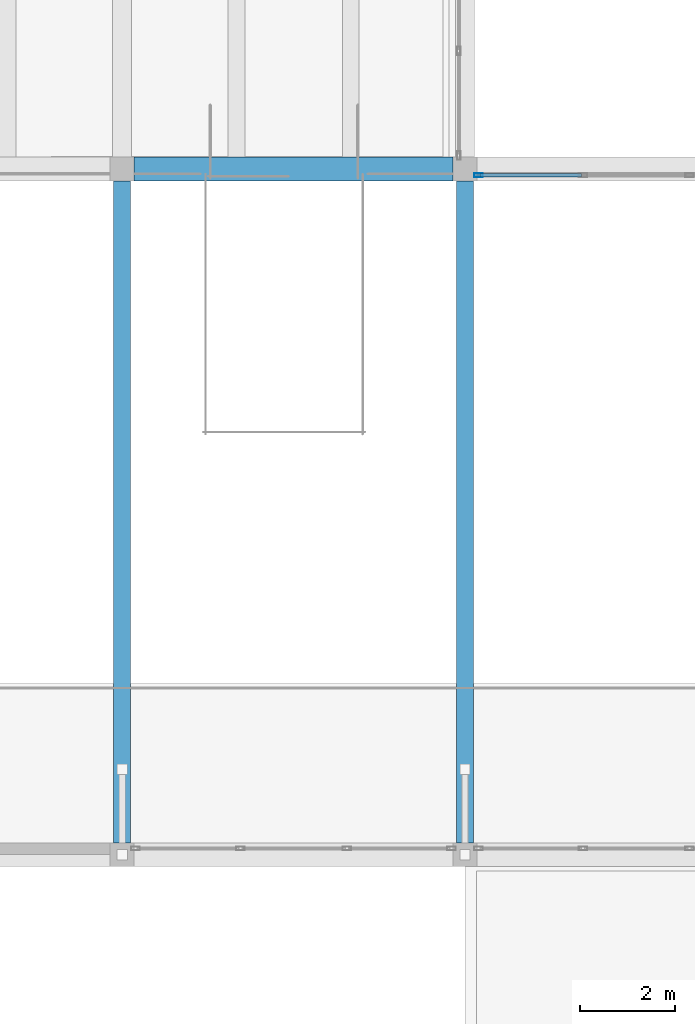
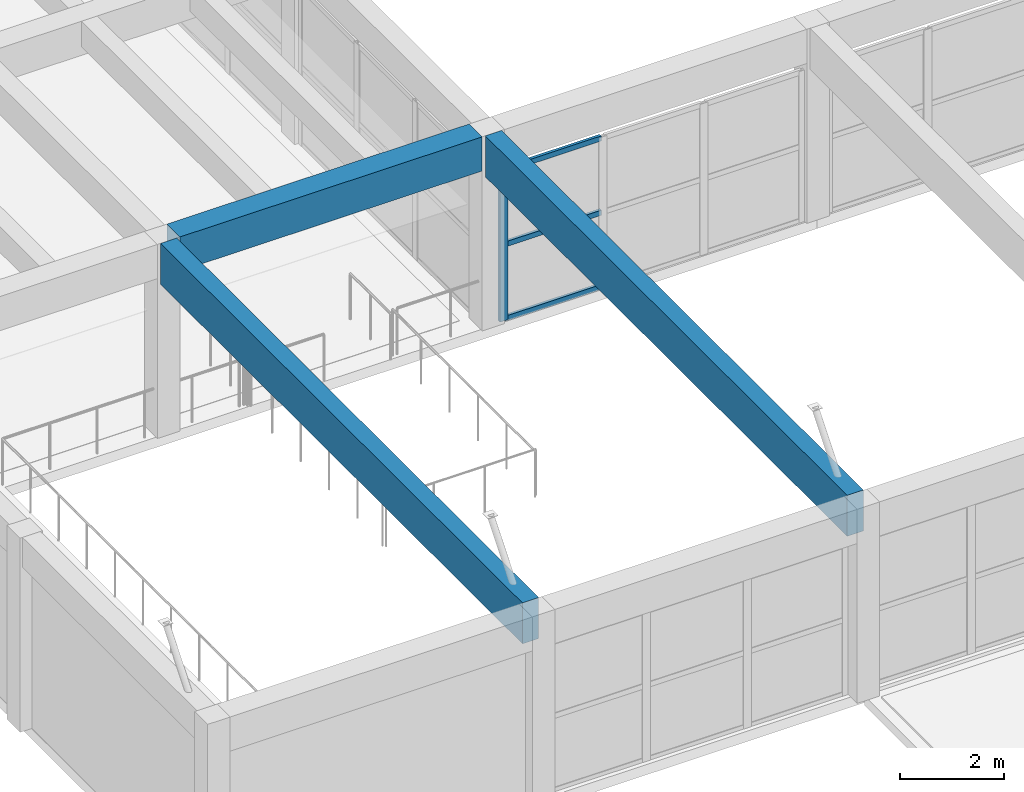
# One storey, part 23 of 153: 4 members, 3 beams, 1 element without a shape of its own.
"""IFC4 building model written with IfcOpenShell, lengths in metres."""

import ifcopenshell
import ifcopenshell.guid

model = None  # the IFC model being written
_history = None  # IfcOwnerHistory: only IFC2X3 demands one
_inside = {}  # id of a spatial element -> (the spatial element, [elements in it])
_under = {}  # id of a project, library or spatial element -> (it, [spatial elements below it])
_declared = {}  # id of a project -> (the project, [libraries it declares])
_typed = {}  # id of a type object -> (the type object, [elements of that type])
_made_of = {}  # id of a material, layer set ... -> (it, [elements and type objects made of it])


def new_model(schema):
    """Start an empty IFC model of exactly this schema.

    Asked for "IFC4X3", IfcOpenShell would pick the latest addendum, in which some entities
    have other attributes; the version numbers below select the first issue.
    IFC2X3 requires an IfcOwnerHistory on every rooted entity: one is made here for all.
    """
    global model, _history
    if schema == "IFC4X3":
        model = ifcopenshell.file(schema_version=(4, 3, 0, 0))
    else:
        model = ifcopenshell.file(schema=schema)
    _inside.clear()
    _under.clear()
    _declared.clear()
    _typed.clear()
    _made_of.clear()
    _history = None
    if model.schema == "IFC2X3":
        org = make("IfcOrganization", Name="unknown")
        user = make(
            "IfcPersonAndOrganization",
            ThePerson=make("IfcPerson", FamilyName="unknown"),
            TheOrganization=org,
        )
        app = make(
            "IfcApplication",
            ApplicationDeveloper=org,
            Version="unknown",
            ApplicationFullName="unknown",
            ApplicationIdentifier="unknown",
        )
        _history = make(
            "IfcOwnerHistory",
            OwningUser=user,
            OwningApplication=app,
            ChangeAction="ADDED",
            CreationDate=0,
        )
    return model


def make(cls, **values):
    """One entity of the class cls with the attributes given. An attribute that is None is left unset."""
    return model.create_entity(
        cls, **{name: value for name, value in values.items() if value is not None}
    )


def rooted(cls, **values):
    """An entity with a GlobalId (a new one), such as an element, a storey or a relation."""
    return make(cls, GlobalId=ifcopenshell.guid.new(), OwnerHistory=_history, **values)


def si_unit(unit_type, name, prefix=None):
    """IfcSIUnit, for example si_unit("LENGTHUNIT", "METRE", prefix="MILLI")."""
    return make("IfcSIUnit", UnitType=unit_type, Prefix=prefix, Name=name)


def assignment(units):
    """IfcUnitAssignment: the units of a project."""
    return None if units is None else make("IfcUnitAssignment", Units=units)


def point(xyz):
    """IfcCartesianPoint."""
    return None if xyz is None else make("IfcCartesianPoint", Coordinates=xyz)


def direction(xyz):
    """IfcDirection."""
    return None if xyz is None else make("IfcDirection", DirectionRatios=xyz)


def frame(location, z_axis=None, x_axis=None):
    """IfcAxis2Placement3D, a coordinate frame: its origin and axes. An axis left out is left unset."""
    return make(
        "IfcAxis2Placement3D",
        Location=point(location),
        Axis=direction(z_axis),
        RefDirection=direction(x_axis),
    )


def frame_2d(location, x_axis=None):
    """IfcAxis2Placement2D, a coordinate frame in the plane: its origin and x axis."""
    return make(
        "IfcAxis2Placement2D", Location=point(location), RefDirection=direction(x_axis)
    )


def origin():
    """The frame at (0, 0, 0) with its axes left unset."""
    return frame((0.0, 0.0, 0.0))


def origin_2d():
    """The frame at (0, 0) in the plane with its x axis left unset."""
    return frame_2d((0.0, 0.0))


def place(relative_to, where):
    """IfcLocalPlacement: puts the frame where relative to a parent placement (None: the world)."""
    return make(
        "IfcLocalPlacement", PlacementRelTo=relative_to, RelativePlacement=where
    )


def context(
    kind, dimensions, precision=None, world=None, true_north=None, identifier=None
):
    """IfcGeometricRepresentationContext, for example the 3D "Model" context."""
    return make(
        "IfcGeometricRepresentationContext",
        ContextIdentifier=identifier,
        ContextType=kind,
        CoordinateSpaceDimension=dimensions,
        Precision=precision,
        WorldCoordinateSystem=world,
        TrueNorth=true_north,
    )


def subcontext(parent, identifier, kind, view, scale=None):
    """IfcGeometricRepresentationSubContext, for example "Body" below "Model"."""
    return make(
        "IfcGeometricRepresentationSubContext",
        ContextIdentifier=identifier,
        ContextType=kind,
        ParentContext=parent,
        TargetScale=scale,
        TargetView=view,
    )


def project(units=None, contexts=None):
    """IfcProject with its units and contexts."""
    return rooted(
        "IfcProject",
        Name="project",
        RepresentationContexts=contexts,
        UnitsInContext=assignment(units),
    )


def spatial(cls, under=None, at=None, **own):
    """A site, building, storey or space (cls), placed at a placement, below another one or the project."""
    s = rooted(cls, ObjectPlacement=at, **own)
    if under is not None:
        _under.setdefault(under.id(), (under, []))[1].append(s)
    return s


def profile(cls, at=None, kind="AREA", **sizes):
    """A parametric profile (cls). Its sizes go by their IFC names, for example OverallWidth=200.0."""
    return make(cls, ProfileType=kind, Position=at, **sizes)


def rectangle(**sizes):
    """IfcRectangleProfileDef."""
    return profile("IfcRectangleProfileDef", **sizes)


def hollow_rectangle(**sizes):
    """IfcRectangleHollowProfileDef."""
    return profile("IfcRectangleHollowProfileDef", **sizes)


def extrude(swept, where, along, depth):
    """IfcExtrudedAreaSolid: the profile swept, set in the frame where, extruded along a direction by depth."""
    return make(
        "IfcExtrudedAreaSolid",
        SweptArea=swept,
        Position=where,
        ExtrudedDirection=direction(along),
        Depth=depth,
    )


def shape(context_of_items, identifier, shape_type, items):
    """IfcShapeRepresentation: the items that make up one representation, for example the "Body"."""
    return make(
        "IfcShapeRepresentation",
        ContextOfItems=context_of_items,
        RepresentationIdentifier=identifier,
        RepresentationType=shape_type,
        Items=items,
    )


def material(Name=None, Category=None):
    """IfcMaterial."""
    return make("IfcMaterial", Name=Name, Category=Category)


def material_profile(
    of_material, cross_section, Name=None, Category=None, Priority=None
):
    """IfcMaterialProfile: a cross section and its material."""
    return make(
        "IfcMaterialProfile",
        Name=Name,
        Material=of_material,
        Profile=cross_section,
        Priority=Priority,
        Category=Category,
    )


def profile_set(profiles, Name=None, composite=None):
    """IfcMaterialProfileSet."""
    return make(
        "IfcMaterialProfileSet",
        Name=Name,
        MaterialProfiles=profiles,
        CompositeProfile=composite,
    )


def made_of(thing, what):
    """Note that an element or type object is made of a material, layer set ...; save() writes the relation."""
    if what is not None:
        _made_of.setdefault(what.id(), (what, []))[1].append(thing)
    return thing


def type_object(cls, material=None, **own):
    """A type object (cls), such as IfcWallType, which elements share."""
    return made_of(rooted(cls, **own), material)


def element(
    cls,
    number,
    at=None,
    inside=None,
    cuts=None,
    type_object=None,
    material=None,
    context=None,
    identifier="Body",
    shape_type=None,
    held_by="IfcProductDefinitionShape",
    body=None,
    shapes=None,
    **own,
):
    """One element of the class cls, such as IfcWall. Its Tag is "e" and its number.

    at: its placement. inside: the storey or other place that contains it. cuts: it is an
    opening in that element (IfcRelVoidsElement). A single representation is given by context,
    identifier, shape_type and body (its items); several are given by shapes. held_by: the class
    of the entity that holds the representations. save() writes the other relations.
    """
    e = rooted(cls, Tag="e%d" % number, ObjectPlacement=at, **own)
    if body is not None:
        shapes = [shape(context, identifier, shape_type, body)]
    if shapes is not None:
        e.Representation = make(held_by, Representations=shapes)
    if inside is not None:
        _inside.setdefault(inside.id(), (inside, []))[1].append(e)
    if cuts is not None:
        rooted(
            "IfcRelVoidsElement", RelatingBuildingElement=cuts, RelatedOpeningElement=e
        )
    if type_object is not None:
        _typed.setdefault(type_object.id(), (type_object, []))[1].append(e)
    return made_of(e, material)


def aggregate(whole, parts):
    """IfcRelAggregates: a whole, such as a stair, and the parts it consists of."""
    return rooted("IfcRelAggregates", RelatingObject=whole, RelatedObjects=parts)


def save(model, path):
    """Write the relations noted so far, then the file.

    IfcRelAggregates (storeys below a building ...), IfcRelContainedInSpatialStructure (elements
    in a storey), IfcRelDefinesByType, IfcRelAssociatesMaterial and IfcRelDeclares: one each for
    every whole, place, type object, material and project.
    """
    for whole, parts in _under.values():
        aggregate(whole, parts)
    for where, things in _inside.values():
        rooted(
            "IfcRelContainedInSpatialStructure",
            RelatedElements=things,
            RelatingStructure=where,
        )
    for kind, things in _typed.values():
        rooted("IfcRelDefinesByType", RelatedObjects=things, RelatingType=kind)
    for what, things in _made_of.values():
        rooted("IfcRelAssociatesMaterial", RelatedObjects=things, RelatingMaterial=what)
    for by, libraries in _declared.values():
        rooted("IfcRelDeclares", RelatingContext=by, RelatedDefinitions=libraries)
    model.write(path)


model = new_model("IFC4")

# Units and contexts
model_context = context("Model", 3, precision=1e-05, world=origin(), true_north=direction((0.0, 1.0)))
body_context = subcontext(model_context, "Body", "Model", "MODEL_VIEW")
ifc_project = project(units=[si_unit("LENGTHUNIT", "METRE"), si_unit("AREAUNIT", "SQUARE_METRE"), si_unit("VOLUMEUNIT", "CUBIC_METRE"), si_unit("PLANEANGLEUNIT", "RADIAN"), si_unit("MASSUNIT", "GRAM", prefix="KILO")], contexts=[model_context])

# Site, building, storey
site_placement = place(None, origin())
site = spatial("IfcSite", under=ifc_project, at=site_placement, CompositionType="ELEMENT")
building_placement = place(site_placement, origin())
building = spatial("IfcBuilding", under=site, at=building_placement, Name="Bramvelor Terrace Health Centre", CompositionType="ELEMENT")
storey_placement = place(building_placement, frame((0.0, 0.0, 4.800048828125)))
storey = spatial("IfcBuildingStorey", under=building, at=storey_placement, Name="L02", CompositionType="ELEMENT", Elevation=4.800048828125)

# Beams
ifc_material_1 = material(Name="Glulam GL28h", Category="wood")
ifc_material_profile_1 = material_profile(ifc_material_1, rectangle(XDim=0.360107421875, YDim=0.9599609375, at=origin_2d()), Name="GL 360x960")
ifc_profile_set_1 = profile_set([ifc_material_profile_1], Name="Glulam GL28h")
beam_type_1 = type_object("IfcBeamType", Name="BM-GL-TG960", PredefinedType="BEAM", material=ifc_profile_set_1)
for number, where, z_axis, x_axis, name in (
    (1, (50.39990234375, 36.25, 4.070068359375), (0.0, 1.0, 0.0), (-1.0, 0.0, 0.0), "L02 Floor Girder"),
    (2, (57.60009765625, 36.25, 4.070068359375), (0.0, 1.0, 0.0), (-1.0, 0.0, 0.0), "L02 Floor Girder"),
):
    element("IfcBeam", number, at=place(storey_placement, frame(where, z_axis=z_axis, x_axis=x_axis)), inside=storey, type_object=beam_type_1, Name=name, PredefinedType="BEAM", context=body_context, shape_type="SweptSolid", body=[
        extrude(rectangle(XDim=0.360107421875, YDim=0.9599609375, at=origin_2d()), origin(), (0.0, 0.0, 1.0), 13.89990234375),
    ])
ifc_material_2 = material(Name="Concrete C40/50", Category="concrete")
ifc_material_profile_2 = material_profile(ifc_material_2, rectangle(XDim=0.5, YDim=0.800048828125, at=origin_2d()), Name="RC 500x800")
ifc_profile_set_2 = profile_set([ifc_material_profile_2], Name="Concrete C40/50")
beam_type_2 = type_object("IfcBeamType", Name="BM-RC-G800", PredefinedType="BEAM", material=ifc_profile_set_2)
beam_placement = place(storey_placement, frame((50.64990234375, 50.39990234375, 4.14990234375), z_axis=(1.0, 0.0, 0.0), x_axis=(0.0, 1.0, 0.0)))
element("IfcBeam", 3, at=beam_placement, inside=storey, type_object=beam_type_2, Name="L02 Floor Girder", PredefinedType="BEAM", context=body_context, shape_type="SweptSolid", body=[
    extrude(rectangle(XDim=0.5, YDim=0.800048828125, at=origin_2d()), origin(), (0.0, 0.0, 1.0), 6.7001953125),
])

# Curtain wall, members
ifc_material_3 = material(Name="Anodized aluminium and double low-E glass", Category="aluminium")
curtain_wall_type = type_object("IfcCurtainWallType", Name="CW-SYS-20", PredefinedType="NOTDEFINED", material=ifc_material_3)
curtain_wall_placement = place(storey_placement, origin())
curtain_wall = element("IfcCurtainWall", 4, at=curtain_wall_placement, inside=storey, type_object=curtain_wall_type, Name="L02 Unitized Curtain Wall 135", PredefinedType="NOTDEFINED")
ifc_material_4 = material(Name="Anodized aluminium 6063-T6", Category="aluminium")
ifc_material_profile_3 = material_profile(ifc_material_4, hollow_rectangle(XDim=0.074951171875, YDim=0.179931640625, WallThickness=0.00341796875, at=origin_2d()), Name="ALU-MUL 75x180x3.5")
ifc_profile_set_3 = profile_set([ifc_material_profile_3], Name="Anodized aluminium 6063-T6")
member_type_1 = type_object("IfcMemberType", Name="CW-MUL-65x180", PredefinedType="MULLION", material=ifc_profile_set_3)
member_1_placement = place(storey_placement, frame((57.882568359375, 50.27001953125, 0.0), z_axis=(0.0, 0.0, 1.0), x_axis=(0.0, 1.0, 0.0)))
member_1 = element("IfcMember", 5, at=member_1_placement, type_object=member_type_1, Name="CW-20 mullion 1", PredefinedType="MULLION", context=body_context, shape_type="SweptSolid", body=[
    extrude(hollow_rectangle(XDim=0.074951171875, YDim=0.179931640625, WallThickness=0.00341796875, at=origin_2d()), origin(), (0.0, 0.0, 1.0), 3.550048828125),
])
ifc_material_5 = material(Name="Anodized aluminium 6063-T6", Category="aluminium")
ifc_material_profile_4 = material_profile(ifc_material_5, hollow_rectangle(XDim=0.06494140625, YDim=0.1201171875, WallThickness=0.0029296875, at=origin_2d()), Name="ALU-TRN 65x120x3.0")
ifc_profile_set_4 = profile_set([ifc_material_profile_4], Name="Anodized aluminium 6063-T6")
member_type_2 = type_object("IfcMemberType", Name="CW-TRN-65x150", PredefinedType="USERDEFINED", material=ifc_profile_set_4)
member_2_placement = place(storey_placement, frame((57.919921875, 50.27001953125, 0.032470703125), z_axis=(1.0, 0.0, 0.0), x_axis=(0.0, 1.0, 0.0)))
member_2 = element("IfcMember", 6, at=member_2_placement, type_object=member_type_2, Name="CW-20 transom 1.1", ObjectType="TRANSOM", PredefinedType="USERDEFINED", context=body_context, shape_type="SweptSolid", body=[
    extrude(hollow_rectangle(XDim=0.06494140625, YDim=0.1201171875, WallThickness=0.0029296875, at=origin_2d()), origin(), (0.0, 0.0, 1.0), 2.124267578125),
])
member_3_placement = place(storey_placement, frame((57.919921875, 50.27001953125, 1.77490234375), z_axis=(1.0, 0.0, 0.0), x_axis=(0.0, 1.0, 0.0)))
member_3 = element("IfcMember", 7, at=member_3_placement, type_object=member_type_2, Name="CW-20 transom 1.2", ObjectType="TRANSOM", PredefinedType="USERDEFINED", context=body_context, shape_type="SweptSolid", body=[
    extrude(hollow_rectangle(XDim=0.06494140625, YDim=0.1201171875, WallThickness=0.0029296875, at=origin_2d()), origin(), (0.0, 0.0, 1.0), 2.124267578125),
])
member_4_placement = place(storey_placement, frame((57.919921875, 50.27001953125, 3.517333984375), z_axis=(1.0, 0.0, 0.0), x_axis=(0.0, 1.0, 0.0)))
member_4 = element("IfcMember", 8, at=member_4_placement, type_object=member_type_2, Name="CW-20 transom 1.3", ObjectType="TRANSOM", PredefinedType="USERDEFINED", context=body_context, shape_type="SweptSolid", body=[
    extrude(hollow_rectangle(XDim=0.06494140625, YDim=0.1201171875, WallThickness=0.0029296875, at=origin_2d()), origin(), (0.0, 0.0, 1.0), 2.124267578125),
])
aggregate(curtain_wall, [member_1, member_2, member_3, member_4])

save(model, "model.ifc")
